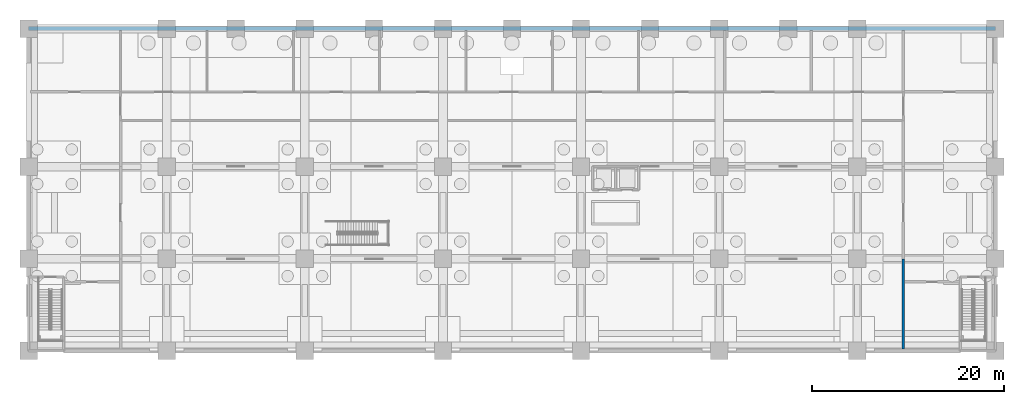
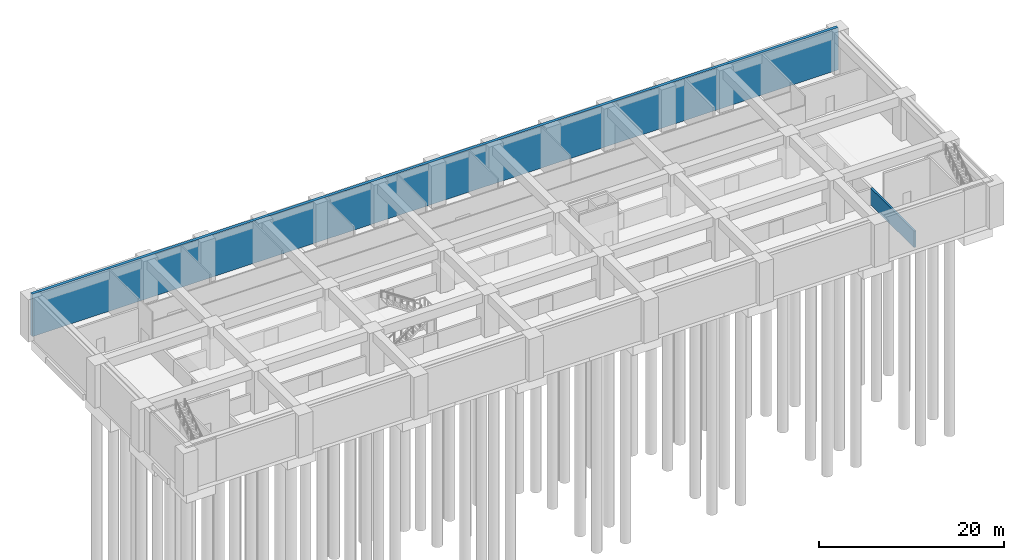
# One storey, part 6 of 13: 2 walls.
"""IFC4 building model written with IfcOpenShell, lengths in metres."""

from ifc_helpers import new_model, si_unit, direction, frame, frame_2d, origin, place, context, subcontext, project, spatial, rectangle, extrude, material, layer, layer_set, type_object, element, save


model = new_model("IFC4")

# Units and contexts
model_context = context("Model", 3, precision=1e-05, world=origin(), true_north=direction((0.0, 1.0)))
body_context = subcontext(model_context, "Body", "Model", "MODEL_VIEW")
ifc_project = project(units=[si_unit("LENGTHUNIT", "METRE"), si_unit("AREAUNIT", "SQUARE_METRE"), si_unit("VOLUMEUNIT", "CUBIC_METRE"), si_unit("PLANEANGLEUNIT", "RADIAN"), si_unit("MASSUNIT", "GRAM", prefix="KILO")], contexts=[model_context])

# Site, building, storey
site_placement = place(None, origin())
site = spatial("IfcSite", under=ifc_project, at=site_placement, CompositionType="ELEMENT")
building_placement = place(site_placement, origin())
building = spatial("IfcBuilding", under=site, at=building_placement, Name="Saffron Iwan Residences", CompositionType="ELEMENT")
storey_placement = place(building_placement, frame((0.0, 0.0, -11.39990234375)))
storey = spatial("IfcBuildingStorey", under=building, at=storey_placement, Name="B2", CompositionType="ELEMENT", Elevation=-11.39990234375)

# Walls
ifc_material = material(Name="Concrete C40/50", Category="concrete")
ifc_layer_1 = layer(ifc_material, 0.39990234375)
ifc_layer_set_1 = layer_set([ifc_layer_1], Name="Concrete C40/50")
wall_type_1 = type_object("IfcWallType", Name="Basement wall 400", PredefinedType="SOLIDWALL", material=ifc_layer_set_1)
wall_1_placement = place(storey_placement, frame((0.0, 33.60009765625, 0.0), z_axis=(0.0, 0.0, 1.0), x_axis=(1.0, 0.0, 0.0)))
element("IfcWall", 1, at=wall_1_placement, inside=storey, type_object=wall_type_1, Name="W-B2-018", PredefinedType="SOLIDWALL", context=body_context, shape_type="SweptSolid", body=[
    extrude(rectangle(XDim=100.800048828125, YDim=0.39990234375, at=frame_2d((50.39990234375, 0.0))), origin(), (0.0, 0.0, 1.0), 5.599853515625),
])
ifc_layer_2 = layer(ifc_material, 0.25)
ifc_layer_set_2 = layer_set([ifc_layer_2], Name="Concrete C40/50")
wall_type_2 = type_object("IfcWallType", Name="Fire compartment wall 250", PredefinedType="SOLIDWALL", material=ifc_layer_set_2)
wall_2_placement = place(storey_placement, frame((91.199951171875, 0.199951171875, 0.0), z_axis=(0.0, 0.0, 1.0), x_axis=(0.0, 1.0, 0.0)))
element("IfcWall", 2, at=wall_2_placement, inside=storey, type_object=wall_type_2, Name="W-B2-039", PredefinedType="SOLIDWALL", context=body_context, shape_type="SweptSolid", body=[
    extrude(rectangle(XDim=9.400146484375, YDim=0.25, at=frame_2d((4.7001953125, 0.0))), origin(), (0.0, 0.0, 1.0), 2.199951171875),
])

save(model, "model.ifc")
